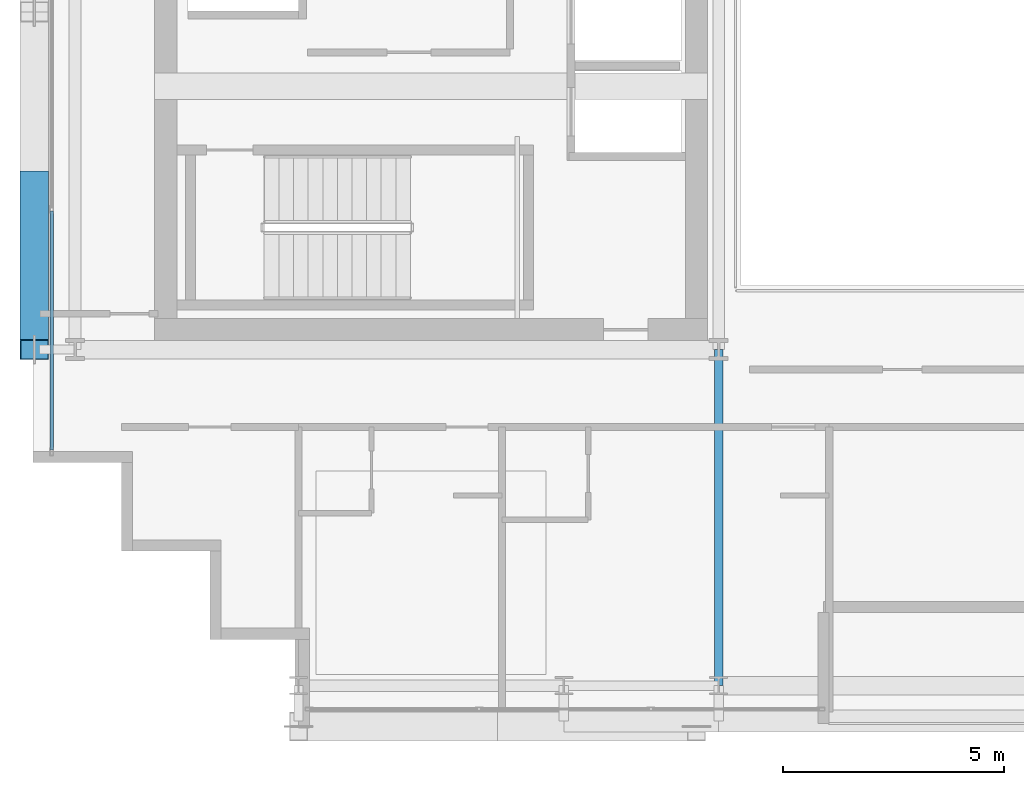
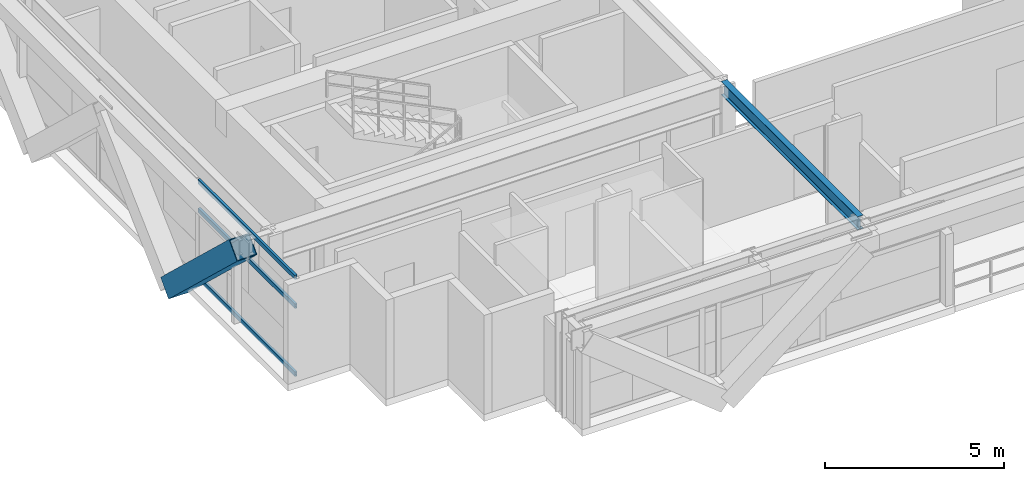
# One storey, part 3 of 32: 4 members, 1 beam, 1 element without a shape of its own.
"""IFC4 building model written with IfcOpenShell, lengths in metres."""

from ifc_helpers import new_model, si_unit, direction, frame, origin, origin_2d, place, context, subcontext, project, spatial, hollow_rectangle, i_section, extrude, source, transform, mapped, material, layer, layer_set, material_profile, profile_set, type_object, element, aggregate, save


model = new_model("IFC4")

# Units and contexts
model_context = context("Model", 3, precision=1e-05, world=origin(), true_north=direction((0.0, 1.0)))
body_context = subcontext(model_context, "Body", "Model", "MODEL_VIEW")
ifc_project = project(units=[si_unit("LENGTHUNIT", "METRE"), si_unit("AREAUNIT", "SQUARE_METRE"), si_unit("VOLUMEUNIT", "CUBIC_METRE"), si_unit("PLANEANGLEUNIT", "RADIAN"), si_unit("MASSUNIT", "GRAM", prefix="KILO")], contexts=[model_context])

# Site, building, storey
site_placement = place(None, origin())
site = spatial("IfcSite", under=ifc_project, at=site_placement, CompositionType="ELEMENT")
building_placement = place(site_placement, origin())
building = spatial("IfcBuilding", under=site, at=building_placement, Name="Ocotamira Hotel", CompositionType="ELEMENT")
storey_placement = place(building_placement, frame((0.0, 0.0, 206.39990234375)))
storey = spatial("IfcBuildingStorey", under=building, at=storey_placement, Name="L52", CompositionType="ELEMENT", Elevation=206.39990234375)

# Beam
ifc_material_1 = material(Name="Steel ASTM A992 Grade 50", Category="steel")
ifc_material_profile_1 = material_profile(ifc_material_1, i_section(OverallWidth=0.18994140625, OverallDepth=0.45703125, WebThickness=0.009033203125, FlangeThickness=0.014404296875, FilletRadius=0.010009765625, at=origin_2d()), Name="W18X50")
ifc_profile_set_1 = profile_set([ifc_material_profile_1], Name="Steel ASTM A992 Grade 50")
beam_type = type_object("IfcBeamType", Name="BM-SEC-W18X50", PredefinedType="JOIST", material=ifc_profile_set_1)
shared_shape_1 = source(origin(), body_context, "Body", "SweptSolid", [
    extrude(i_section(OverallWidth=0.18994140625, OverallDepth=0.45703125, WebThickness=0.009033203125, FlangeThickness=0.014404296875, FilletRadius=0.010009765625, at=origin_2d()), origin(), (0.0, 0.0, 1.0), 7.60009765625),
])
beam_placement = place(storey_placement, frame((23.5, 6.949951171875, 3.1416015625), z_axis=(0.0, 1.0, 0.0), x_axis=(-1.0, 0.0, 0.0)))
element("IfcBeam", 1, at=beam_placement, inside=storey, type_object=beam_type, Name="L52 Beam X23.5 Y6.95-14.55", PredefinedType="JOIST", context=body_context, shape_type="MappedRepresentation", body=[
    mapped(shared_shape_1, transform((0.0, 0.0, 0.0), scale=1.0)),
])

# Member
ifc_material_2 = material(Name="Pale-metal coated steel ASTM A913 Grade 65", Category="steel")
ifc_material_profile_2 = material_profile(ifc_material_2, hollow_rectangle(XDim=0.64990234375, YDim=0.64990234375, WallThickness=0.02197265625, at=origin_2d()), Name="BOX650X650X22")
ifc_profile_set_2 = profile_set([ifc_material_profile_2], Name="Pale-metal coated steel ASTM A913 Grade 65")
member_type_1 = type_object("IfcMemberType", Name="MEM-EXO-BOX650", PredefinedType="BRACE", material=ifc_profile_set_2)
shared_shape_2 = source(origin(), body_context, "Body", "SweptSolid", [
    extrude(hollow_rectangle(XDim=0.64990234375, YDim=0.64990234375, WallThickness=0.02197265625, at=origin_2d()), origin(), (0.0, 0.0, 1.0), 5.24658203125),
])
member_1_placement = place(storey_placement, frame((8.030029296875, 18.36669921875, -0.47998046875), z_axis=(0.0, -0.727442733726, 0.686168397078), x_axis=(1.0, 0.0, 0.0)))
element("IfcMember", 2, at=member_1_placement, inside=storey, type_object=member_type_1, Name="L52 Exoskeleton Diagrid W0.1", PredefinedType="BRACE", context=body_context, shape_type="MappedRepresentation", body=[
    mapped(shared_shape_2, transform((0.0, 0.0, 0.0), scale=1.0)),
])

# Curtain wall, members
ifc_material_3 = material(Name="Anodised pale-metal aluminium and solar glass", Category="aluminium")
ifc_layer = layer(ifc_material_3, 0.199951171875)
ifc_layer_set = layer_set([ifc_layer], Name="Anodised pale-metal aluminium and solar glass")
curtain_wall_type = type_object("IfcCurtainWallType", Name="CW-SYS4-Z3", PredefinedType="NOTDEFINED", material=ifc_layer_set)
curtain_wall_placement = place(storey_placement, origin())
curtain_wall = element("IfcCurtainWall", 3, at=curtain_wall_placement, inside=storey, type_object=curtain_wall_type, Name="L52 Curtain Wall CW-4 CW-L52-W", PredefinedType="NOTDEFINED")
ifc_material_4 = material(Name="Anodised pale-metal aluminium 6063-T6", Category="aluminium")
ifc_material_profile_3 = material_profile(ifc_material_4, hollow_rectangle(XDim=0.074951171875, YDim=0.14990234375, WallThickness=0.006103515625, at=origin_2d()), Name="HSS150X75X6")
ifc_profile_set_3 = profile_set([ifc_material_profile_3], Name="Anodised pale-metal aluminium 6063-T6")
member_type_2 = type_object("IfcMemberType", Name="CWT-150X75", PredefinedType="USERDEFINED", material=ifc_profile_set_3)
shared_shape_3 = source(origin(), body_context, "Body", "SweptSolid", [
    extrude(hollow_rectangle(XDim=0.074951171875, YDim=0.14990234375, WallThickness=0.006103515625, at=origin_2d()), origin(), (0.0, 0.0, 1.0), 5.39990234375),
])
member_2_placement = place(storey_placement, frame((8.419921875, 12.280029296875, 0.03759765625), z_axis=(0.0, 1.0, 0.0), x_axis=(-1.0, 0.0, 0.0)))
member_2 = element("IfcMember", 4, at=member_2_placement, type_object=member_type_2, Name="CW-4 transom 1.1", ObjectType="TRANSOM", PredefinedType="USERDEFINED", context=body_context, shape_type="MappedRepresentation", body=[
    mapped(shared_shape_3, transform((0.0, 0.0, 0.0), scale=1.0)),
])
member_3_placement = place(storey_placement, frame((8.419921875, 12.280029296875, 2.35009765625), z_axis=(0.0, 1.0, 0.0), x_axis=(-1.0, 0.0, 0.0)))
member_3 = element("IfcMember", 5, at=member_3_placement, type_object=member_type_2, Name="CW-4 transom 1.2", ObjectType="TRANSOM", PredefinedType="USERDEFINED", context=body_context, shape_type="MappedRepresentation", body=[
    mapped(shared_shape_3, transform((0.0, 0.0, 0.0), scale=1.0)),
])
member_4_placement = place(storey_placement, frame((8.419921875, 12.280029296875, 3.33251953125), z_axis=(0.0, 1.0, 0.0), x_axis=(-1.0, 0.0, 0.0)))
member_4 = element("IfcMember", 6, at=member_4_placement, type_object=member_type_2, Name="CW-4 transom 1.3", ObjectType="TRANSOM", PredefinedType="USERDEFINED", context=body_context, shape_type="MappedRepresentation", body=[
    mapped(shared_shape_3, transform((0.0, 0.0, 0.0), scale=1.0)),
])
aggregate(curtain_wall, [member_2, member_3, member_4])

save(model, "model.ifc")
